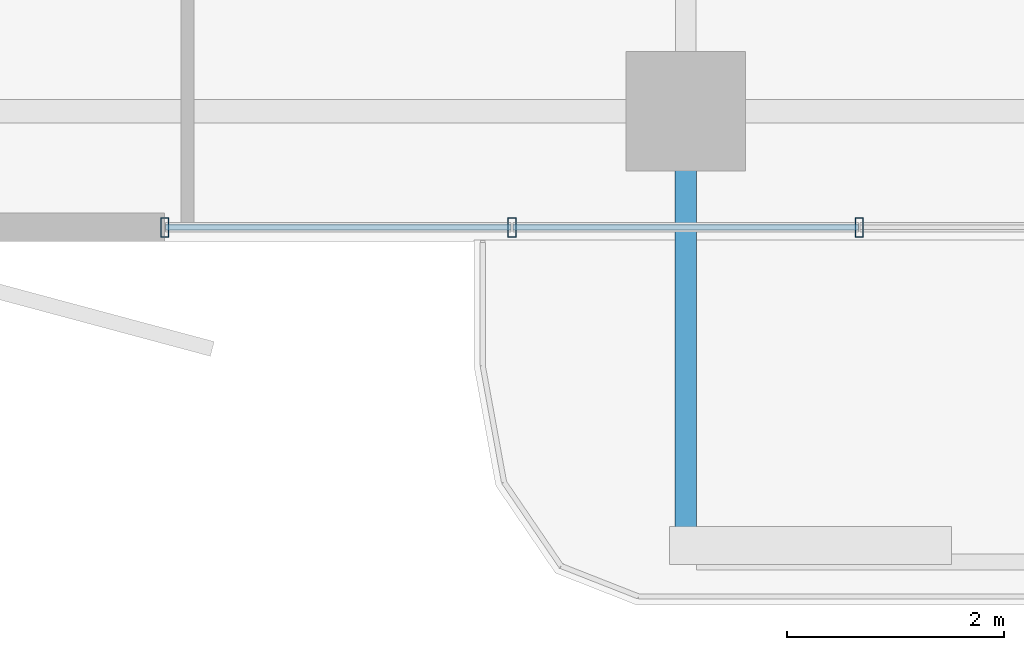
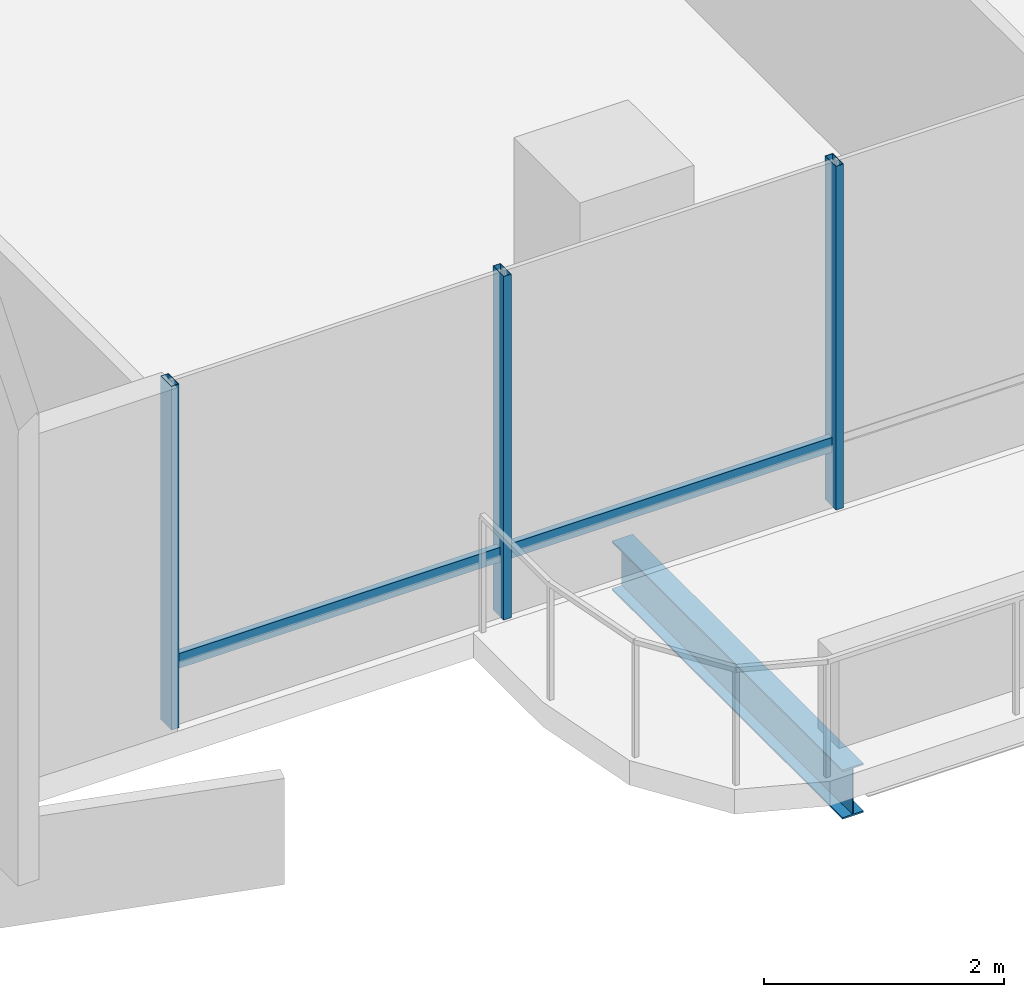
# One storey, part 2 of 24: 5 members, 1 beam, 1 element without a shape of its own.
"""IFC4 building model written with IfcOpenShell, lengths in metres."""

from ifc_helpers import new_model, si_unit, direction, frame, origin, origin_2d, place, context, subcontext, project, spatial, hollow_rectangle, i_section, extrude, material, layer, layer_set, material_profile, profile_set, type_object, element, aggregate, save


model = new_model("IFC4")

# Units and contexts
model_context = context("Model", 3, precision=1e-05, world=origin(), true_north=direction((0.0, 1.0)))
body_context = subcontext(model_context, "Body", "Model", "MODEL_VIEW")
ifc_project = project(units=[si_unit("LENGTHUNIT", "METRE"), si_unit("AREAUNIT", "SQUARE_METRE"), si_unit("VOLUMEUNIT", "CUBIC_METRE"), si_unit("PLANEANGLEUNIT", "RADIAN"), si_unit("MASSUNIT", "GRAM", prefix="KILO")], contexts=[model_context])

# Site, building, storey
site_placement = place(None, origin())
site = spatial("IfcSite", under=ifc_project, at=site_placement, CompositionType="ELEMENT")
building_placement = place(site_placement, origin())
building = spatial("IfcBuilding", under=site, at=building_placement, Name="Belovzor Exchange Tower", CompositionType="ELEMENT")
storey_placement = place(building_placement, frame((0.0, 0.0, 203.699951171875)))
storey = spatial("IfcBuildingStorey", under=building, at=storey_placement, Name="L50", CompositionType="ELEMENT", Elevation=203.699951171875)

# Beam
ifc_material_1 = material(Name="Steel S355", Category="steel")
ifc_material_profile_1 = material_profile(ifc_material_1, i_section(OverallWidth=0.199951171875, OverallDepth=0.5, WebThickness=0.01025390625, FlangeThickness=0.01611328125, at=origin_2d()))
ifc_profile_set_1 = profile_set([ifc_material_profile_1], Name="Steel S355")
beam_type = type_object("IfcBeamType", Name="Planted Balcony Cantilever Beam IPE 500", PredefinedType="BEAM", material=ifc_profile_set_1)
beam_placement = place(storey_placement, frame((28.800048828125, 2.697021484375, -0.5), z_axis=(0.0, -1.0, 0.0), x_axis=(1.0, 0.0, 0.0)))
element("IfcBeam", 1, at=beam_placement, inside=storey, type_object=beam_type, Name="BC-500 Planted Balcony Cantilever Beam IPE 500", PredefinedType="BEAM", context=body_context, shape_type="SweptSolid", body=[
    extrude(i_section(OverallWidth=0.199951171875, OverallDepth=0.5, WebThickness=0.01025390625, FlangeThickness=0.01611328125, at=origin_2d()), origin(), (0.0, 0.0, 1.0), 3.85009765625),
])

# Curtain wall, members
ifc_material_2 = material(Name="Anodised Aluminium Framing", Category="aluminium")
ifc_layer = layer(ifc_material_2, 0.179931640625)
ifc_layer_set = layer_set([ifc_layer], Name="Anodised Aluminium Framing")
curtain_wall_type = type_object("IfcCurtainWallType", Name="Recessed Loggia Low-Iron Triple-Glazed Curtain Wall", PredefinedType="NOTDEFINED", material=ifc_layer_set)
curtain_wall_placement = place(storey_placement, origin())
curtain_wall = element("IfcCurtainWall", 2, at=curtain_wall_placement, inside=storey, type_object=curtain_wall_type, Name="CW3 Recessed Loggia Low-Iron Triple-Glazed Curtain Wall L50", PredefinedType="NOTDEFINED")
ifc_material_3 = material(Name="Steel S355", Category="steel")
ifc_material_profile_2 = material_profile(ifc_material_3, hollow_rectangle(XDim=0.074951171875, YDim=0.179931640625, WallThickness=0.0048828125, at=origin_2d()))
ifc_profile_set_2 = profile_set([ifc_material_profile_2], Name="Steel S355")
member_type_1 = type_object("IfcMemberType", Name="Thermally Broken Curtain Wall Mullion 180x75", PredefinedType="MULLION", material=ifc_profile_set_2)
member_1_placement = place(storey_placement, frame((30.39990234375, 1.929931640625, 0.0), z_axis=(0.0, 0.0, 1.0), x_axis=(-1.0, 0.0, 0.0)))
member_1 = element("IfcMember", 3, at=member_1_placement, type_object=member_type_1, Name="CW-M180 Curtain Wall Mullion 2", PredefinedType="MULLION", context=body_context, shape_type="SweptSolid", body=[
    extrude(hollow_rectangle(XDim=0.074951171875, YDim=0.179931640625, WallThickness=0.0048828125, at=origin_2d()), origin(), (0.0, 0.0, 1.0), 3.5),
])
member_2_placement = place(storey_placement, frame((27.199951171875, 1.929931640625, 0.0), z_axis=(0.0, 0.0, 1.0), x_axis=(-1.0, 0.0, 0.0)))
member_2 = element("IfcMember", 4, at=member_2_placement, type_object=member_type_1, Name="CW-M180 Curtain Wall Mullion 3", PredefinedType="MULLION", context=body_context, shape_type="SweptSolid", body=[
    extrude(hollow_rectangle(XDim=0.074951171875, YDim=0.179931640625, WallThickness=0.0048828125, at=origin_2d()), origin(), (0.0, 0.0, 1.0), 3.5),
])
member_3_placement = place(storey_placement, frame((24.0, 1.929931640625, 0.0), z_axis=(0.0, 0.0, 1.0), x_axis=(-1.0, 0.0, 0.0)))
member_3 = element("IfcMember", 5, at=member_3_placement, type_object=member_type_1, Name="CW-M180 Curtain Wall Mullion 4", PredefinedType="MULLION", context=body_context, shape_type="SweptSolid", body=[
    extrude(hollow_rectangle(XDim=0.074951171875, YDim=0.179931640625, WallThickness=0.0048828125, at=origin_2d()), origin(), (0.0, 0.0, 1.0), 3.5),
])
ifc_material_4 = material(Name="Steel S355", Category="steel")
ifc_material_profile_3 = material_profile(ifc_material_4, hollow_rectangle(XDim=0.06005859375, YDim=0.14990234375, WallThickness=0.00390625, at=origin_2d()))
ifc_profile_set_3 = profile_set([ifc_material_profile_3], Name="Steel S355")
member_type_2 = type_object("IfcMemberType", Name="Thermally Broken Curtain Wall Transom 150x60", PredefinedType="USERDEFINED", material=ifc_profile_set_3)
member_4_placement = place(storey_placement, frame((30.39208984375, 1.929931640625, 0.630126953125), z_axis=(-1.0, 0.0, 0.0), x_axis=(0.0, -1.0, 0.0)))
member_4 = element("IfcMember", 6, at=member_4_placement, type_object=member_type_2, Name="CW-T150 Curtain Wall Transom 2", ObjectType="TRANSOM", PredefinedType="USERDEFINED", context=body_context, shape_type="SweptSolid", body=[
    extrude(hollow_rectangle(XDim=0.06005859375, YDim=0.14990234375, WallThickness=0.00390625, at=origin_2d()), origin(), (0.0, 0.0, 1.0), 3.18408203125),
])
member_5_placement = place(storey_placement, frame((27.19189453125, 1.929931640625, 0.630126953125), z_axis=(-1.0, 0.0, 0.0), x_axis=(0.0, -1.0, 0.0)))
member_5 = element("IfcMember", 7, at=member_5_placement, type_object=member_type_2, Name="CW-T150 Curtain Wall Transom 3", ObjectType="TRANSOM", PredefinedType="USERDEFINED", context=body_context, shape_type="SweptSolid", body=[
    extrude(hollow_rectangle(XDim=0.06005859375, YDim=0.14990234375, WallThickness=0.00390625, at=origin_2d()), origin(), (0.0, 0.0, 1.0), 3.183837890625),
])
aggregate(curtain_wall, [member_1, member_2, member_3, member_4, member_5])

save(model, "model.ifc")
